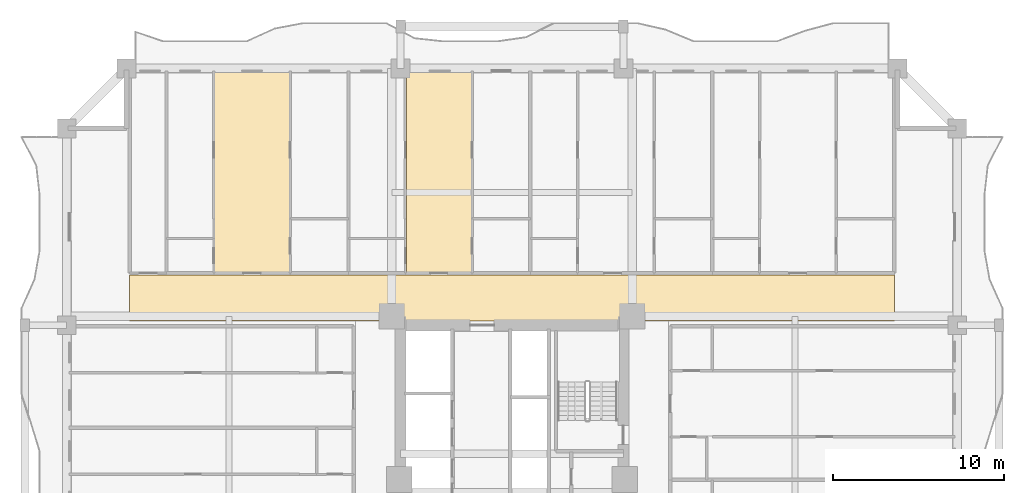
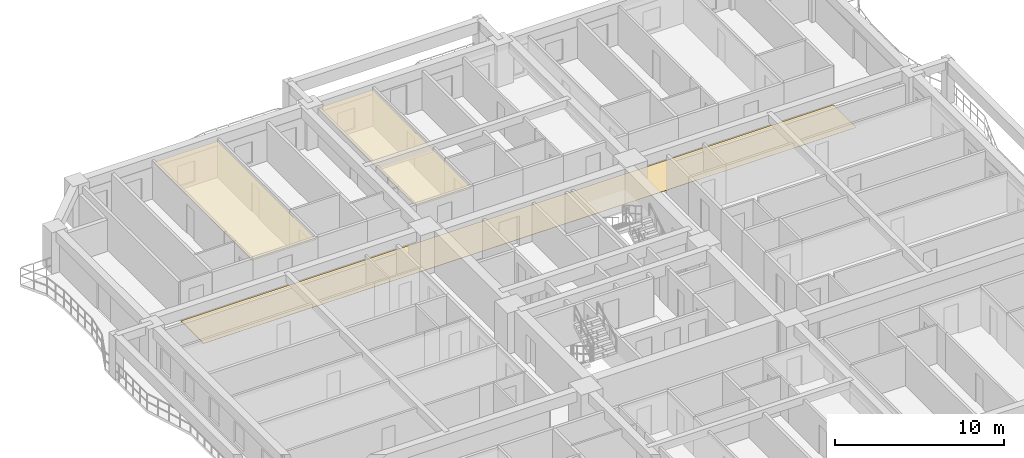
# One storey, part 15 of 16: 3 coverings.
"""IFC4 building model written with IfcOpenShell, lengths in metres."""

from ifc_helpers import new_model, si_unit, direction, frame, origin, place, context, subcontext, project, spatial, polyline, outline, extrude, material, layer, layer_set, type_object, element, save


model = new_model("IFC4")

# Units and contexts
model_context = context("Model", 3, precision=1e-05, world=origin(), true_north=direction((0.0, 1.0)))
body_context = subcontext(model_context, "Body", "Model", "MODEL_VIEW")
ifc_project = project(units=[si_unit("LENGTHUNIT", "METRE"), si_unit("AREAUNIT", "SQUARE_METRE"), si_unit("VOLUMEUNIT", "CUBIC_METRE"), si_unit("PLANEANGLEUNIT", "RADIAN"), si_unit("MASSUNIT", "GRAM", prefix="KILO")], contexts=[model_context])

# Site, building, storey
site_placement = place(None, origin())
site = spatial("IfcSite", under=ifc_project, at=site_placement, CompositionType="ELEMENT")
building_placement = place(site_placement, origin())
building = spatial("IfcBuilding", under=site, at=building_placement, Name="Saelheon Loggia Tower", CompositionType="ELEMENT")
storey_placement = place(building_placement, frame((0.0, 0.0, 28.39990234375)))
storey = spatial("IfcBuildingStorey", under=building, at=storey_placement, Name="L08", CompositionType="ELEMENT", Elevation=28.39990234375)

# Coverings
ifc_material_1 = material(Name="Mineral-Fibre Acoustic Ceiling Board", Category="gypsum")
ifc_layer_1 = layer(ifc_material_1, 0.02490234375)
ifc_layer_set_1 = layer_set([ifc_layer_1], Name="Mineral-Fibre Acoustic Ceiling Board")
covering_type_1 = type_object("IfcCoveringType", Name="Cov_Ceiling_Acoustic", PredefinedType="CEILING", material=ifc_layer_set_1)
covering_1_placement = place(storey_placement, frame((0.0, 0.0, 2.53515625)))
element("IfcCovering", 1, at=covering_1_placement, inside=storey, type_object=covering_type_1, Name="L08 Acoustic Suspended Ceiling", PredefinedType="CEILING", context=body_context, shape_type="SweptSolid", body=[
    extrude(outline(polyline([(20.641845703125, 39.10009765625), (25.00341796875, 39.10009765625), (25.00341796875, 50.800048828125), (20.641845703125, 50.800048828125), (20.641845703125, 39.10009765625)])), origin(), (0.0, 0.0, 1.0), 0.02490234375),
])
covering_2_placement = place(storey_placement, frame((0.0, 0.0, 2.53515625)))
element("IfcCovering", 2, at=covering_2_placement, inside=storey, type_object=covering_type_1, Name="L08 Acoustic Suspended Ceiling", PredefinedType="CEILING", context=body_context, shape_type="SweptSolid", body=[
    extrude(outline(polyline([(31.830078125, 39.10009765625), (35.625732421875, 39.10009765625), (35.625732421875, 50.800048828125), (31.830078125, 50.800048828125), (31.830078125, 39.10009765625)])), origin(), (0.0, 0.0, 1.0), 0.02490234375),
])
ifc_material_2 = material(Name="Vitrified Porcelain Floor Tile", Category="ceramic")
ifc_layer_2 = layer(ifc_material_2, 0.02001953125)
ifc_layer_set_2 = layer_set([ifc_layer_2], Name="Vitrified Porcelain Floor Tile")
covering_type_2 = type_object("IfcCoveringType", Name="Cov_Floor_Porcelain", PredefinedType="FLOORING", material=ifc_layer_set_2)
covering_3_placement = place(storey_placement, origin())
element("IfcCovering", 3, at=covering_3_placement, inside=storey, type_object=covering_type_2, Name="L08 Corridor Porcelain Flooring", PredefinedType="FLOORING", context=body_context, shape_type="SweptSolid", body=[
    extrude(outline(polyline([(15.679931640625, 36.25), (60.320068359375, 36.25), (60.320068359375, 38.949951171875), (15.679931640625, 38.949951171875), (15.679931640625, 36.25)])), origin(), (0.0, 0.0, 1.0), 0.02001953125),
])

save(model, "model.ifc")
